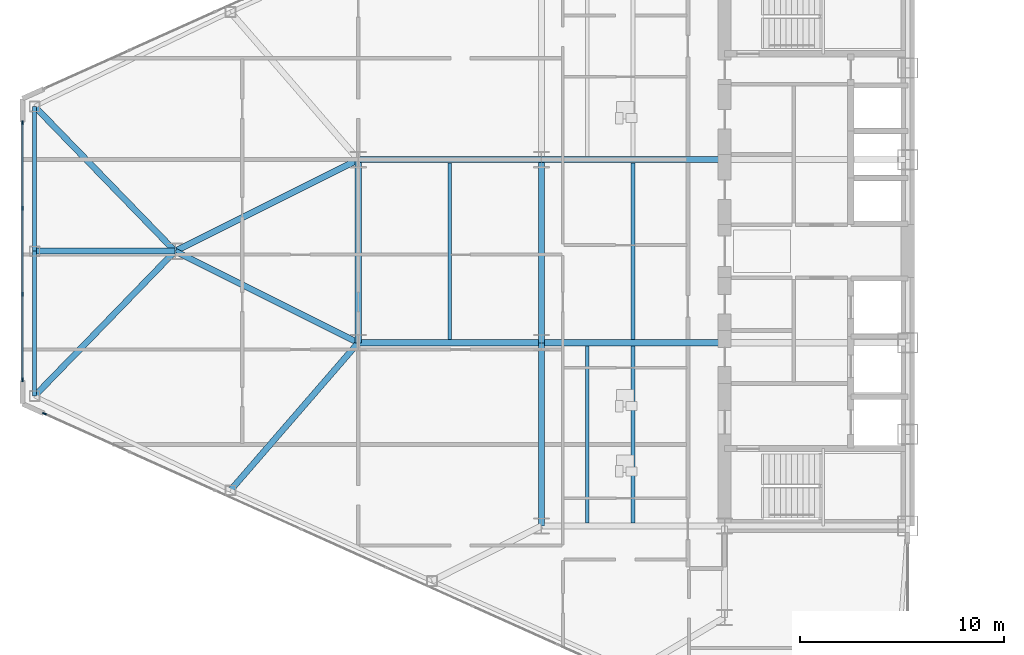
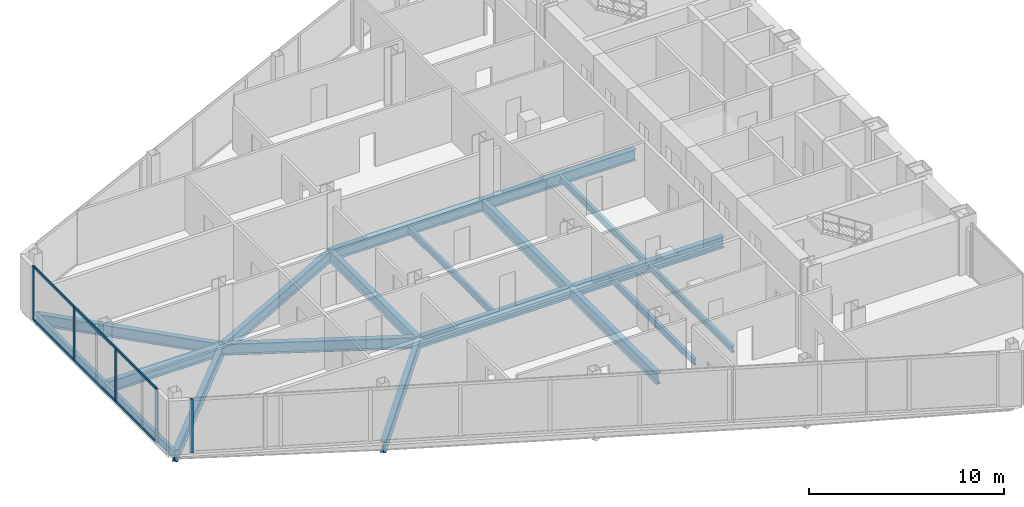
# One storey, part 5 of 27: 19 beams, 7 members, 2 elements without a shape of their own.
"""IFC4 building model written with IfcOpenShell, lengths in metres."""

from ifc_helpers import new_model, si_unit, direction, frame, origin, origin_2d, place, context, subcontext, project, spatial, rectangle, i_section, extrude, source, transform, mapped, material, layer, layer_set, material_profile, profile_set, type_object, type_shapes, element, aggregate, save


model = new_model("IFC4")

# Units and contexts
model_context = context("Model", 3, precision=1e-05, world=origin(), true_north=direction((0.0, 1.0)))
body_context = subcontext(model_context, "Body", "Model", "MODEL_VIEW")
ifc_project = project(units=[si_unit("LENGTHUNIT", "METRE"), si_unit("AREAUNIT", "SQUARE_METRE"), si_unit("VOLUMEUNIT", "CUBIC_METRE"), si_unit("PLANEANGLEUNIT", "RADIAN"), si_unit("MASSUNIT", "GRAM", prefix="KILO")], contexts=[model_context])

# Site, building, storey
site_placement = place(None, origin())
site = spatial("IfcSite", under=ifc_project, at=site_placement, CompositionType="ELEMENT")
building_placement = place(site_placement, origin())
building = spatial("IfcBuilding", under=site, at=building_placement, Name="Seokmaru Belvedere", CompositionType="ELEMENT")
storey_placement = place(building_placement, frame((0.0, 0.0, 69.300048828125)))
storey = spatial("IfcBuildingStorey", under=building, at=storey_placement, Name="L18", CompositionType="ELEMENT", Elevation=69.300048828125)

# Beams
ifc_material_1 = material(Name="Steel SM355 (355 MPa)", Category="steel")
ifc_material_profile_1 = material_profile(ifc_material_1, i_section(OverallWidth=0.300048828125, OverallDepth=0.699951171875, WebThickness=0.012939453125, FlangeThickness=0.02392578125, at=origin_2d()), Name="H-700x300x13x24")
ifc_profile_set_1 = profile_set([ifc_material_profile_1], Name="Steel SM355 (355 MPa)")
beam_type_1 = type_object("IfcBeamType", Name="Primary Floor Girder H-700", PredefinedType="BEAM", material=ifc_profile_set_1)
shared_shape_1 = source(origin(), body_context, "Body", "SweptSolid", [
    extrude(i_section(OverallWidth=0.300048828125, OverallDepth=0.699951171875, WebThickness=0.012939453125, FlangeThickness=0.02392578125, at=origin_2d()), origin(), (0.0, 0.0, 1.0), 9.0),
])
for number, where, z_axis, x_axis, name in (
    (1, (-45.5, -13.5, -0.570068359375), (0.0, 1.0, 0.0), (-1.0, 0.0, 0.0), "L18 W Interior Grid Girder 1"),
    (2, (-45.5, -4.5, -0.570068359375), (0.0, 1.0, 0.0), (-1.0, 0.0, 0.0), "L18 W Interior Grid Girder 2"),
    (3, (-45.5, -4.5, -0.570068359375), (1.0, 0.0, 0.0), (0.0, 1.0, 0.0), "L18 W Wing Primary Girder 2"),
    (4, (-45.5, 4.5, -0.570068359375), (1.0, 0.0, 0.0), (0.0, 1.0, 0.0), "L18 W Wing Primary Girder 3"),
    (5, (-54.5, -4.5, -0.570068359375), (1.0, 0.0, 0.0), (0.0, 1.0, 0.0), "L18 W Outer Wing Girder 1"),
    (6, (-54.5, 4.5, -0.570068359375), (1.0, 0.0, 0.0), (0.0, 1.0, 0.0), "L18 W Outer Wing Girder 2"),
    (7, (-54.5, -4.5, -0.570068359375), (0.0, 1.0, 0.0), (-1.0, 0.0, 0.0), "L18 W Apex Frame Girder"),
):
    element("IfcBeam", number, at=place(storey_placement, frame(where, z_axis=z_axis, x_axis=x_axis)), inside=storey, type_object=beam_type_1, Name=name, PredefinedType="BEAM", context=body_context, shape_type="MappedRepresentation", body=[
        mapped(shared_shape_1, transform((0.0, 0.0, 0.0), scale=1.0)),
    ])
shared_shape_2 = source(origin(), body_context, "Body", "SweptSolid", [
    extrude(i_section(OverallWidth=0.300048828125, OverallDepth=0.699951171875, WebThickness=0.012939453125, FlangeThickness=0.02392578125, at=origin_2d()), origin(), (0.0, 0.0, 1.0), 10.062255859375),
])
for number, where, z_axis, x_axis, name in (
    (8, (-54.5, -4.5, -0.570068359375), (-0.894427191, 0.4472135955, 0.0), (-0.4472135955, -0.894427191, 0.0), "L18 W Apex Converging Girder 1"),
    (9, (-54.5, 4.5, -0.570068359375), (-0.894427191, -0.4472135955, 0.0), (0.4472135955, -0.894427191, 0.0), "L18 W Apex Converging Girder 2"),
):
    element("IfcBeam", number, at=place(storey_placement, frame(where, z_axis=z_axis, x_axis=x_axis)), inside=storey, type_object=beam_type_1, Name=name, PredefinedType="BEAM", context=body_context, shape_type="MappedRepresentation", body=[
        mapped(shared_shape_2, transform((0.0, 0.0, 0.0), scale=1.0)),
    ])
ifc_material_profile_2 = material_profile(ifc_material_1, i_section(OverallWidth=0.18505859375, OverallDepth=0.389892578125, WebThickness=0.008056640625, FlangeThickness=0.011962890625, at=origin_2d()), Name="H-390x185x8x12")
ifc_profile_set_2 = profile_set([ifc_material_profile_2], Name="Steel SM355 (355 MPa)")
beam_type_2 = type_object("IfcBeamType", Name="Secondary Floor Joist H-350", PredefinedType="JOIST", material=ifc_profile_set_2)
shared_shape_3 = source(origin(), body_context, "Body", "SweptSolid", [
    extrude(i_section(OverallWidth=0.18505859375, OverallDepth=0.389892578125, WebThickness=0.008056640625, FlangeThickness=0.011962890625, at=origin_2d()), origin(), (0.0, 0.0, 1.0), 8.68994140625),
])
type_shapes(beam_type_2, [shared_shape_3])
for number, where, z_axis, x_axis, name in (
    (10, (-43.25, -13.344970703125, -0.4150390625), (0.0, 1.0, 0.0), (-1.0, 0.0, 0.0), "L18 W Wing Inner Secondary Joist 1"),
    (11, (-41.0, -13.344970703125, -0.4150390625), (0.0, 1.0, 0.0), (-1.0, 0.0, 0.0), "L18 W Secondary Floor Joist 1"),
    (12, (-41.0, -4.344970703125, -0.4150390625), (0.0, 1.0, 0.0), (-1.0, 0.0, 0.0), "L18 W Secondary Floor Joist 2"),
    (13, (-50.0, -4.344970703125, -0.4150390625), (0.0, 1.0, 0.0), (-1.0, 0.0, 0.0), "L18 W Outer Bay Secondary Joist"),
):
    element("IfcBeam", number, at=place(storey_placement, frame(where, z_axis=z_axis, x_axis=x_axis)), inside=storey, type_object=beam_type_2, Name=name, PredefinedType="JOIST", context=body_context, shape_type="MappedRepresentation", body=[
        mapped(shared_shape_3, transform((0.0, 0.0, 0.0), scale=1.0)),
    ])
ifc_material_profile_3 = material_profile(ifc_material_1, i_section(OverallWidth=0.199951171875, OverallDepth=0.5, WebThickness=0.010009765625, FlangeThickness=0.01611328125, at=origin_2d()), Name="H-500x200x10x16")
ifc_profile_set_3 = profile_set([ifc_material_profile_3], Name="Steel SM355 (355 MPa)")
beam_type_3 = type_object("IfcBeamType", Name="Perimeter Spandrel Beam H-500", PredefinedType="SPANDREL", material=ifc_profile_set_3)
shared_shape_4 = source(origin(), body_context, "Body", "SweptSolid", [
    extrude(i_section(OverallWidth=0.199951171875, OverallDepth=0.5, WebThickness=0.010009765625, FlangeThickness=0.01611328125, at=origin_2d()), origin(), (0.0, 0.0, 1.0), 7.112060546875),
])
type_shapes(beam_type_3, [shared_shape_4])
for number, where, z_axis, x_axis, name in (
    (14, (-70.39990234375, -7.112060546875, -0.469970703125), (0.0, 1.0, 0.0), (-1.0, 0.0, 0.0), "L18 W Faceted Apex Spandrel S"),
    (15, (-70.39990234375, 0.0, -0.469970703125), (0.0, 1.0, 0.0), (-1.0, 0.0, 0.0), "L18 W Faceted Apex Spandrel N"),
):
    element("IfcBeam", number, at=place(storey_placement, frame(where, z_axis=z_axis, x_axis=x_axis)), inside=storey, type_object=beam_type_3, Name=name, PredefinedType="SPANDREL", context=body_context, shape_type="MappedRepresentation", body=[
        mapped(shared_shape_4, transform((0.0, 0.0, 0.0), scale=1.0)),
    ])
shared_shape_5 = source(origin(), body_context, "Body", "SweptSolid", [
    extrude(i_section(OverallWidth=0.300048828125, OverallDepth=0.699951171875, WebThickness=0.012939453125, FlangeThickness=0.02392578125, at=origin_2d()), origin(), (0.0, 0.0, 1.0), 9.589599609375),
])
beam_1_placement = place(storey_placement, frame((-60.777587890625, -11.749267578125, -0.570068359375), z_axis=(0.654626140929, 0.755952786629, 0.0), x_axis=(-0.755952786629, 0.654626140929, 0.0)))
element("IfcBeam", 16, at=beam_1_placement, inside=storey, type_object=beam_type_1, Name="L18 W Flank Radial Floor Girder S-3", PredefinedType="BEAM", context=body_context, shape_type="MappedRepresentation", body=[
    mapped(shared_shape_5, transform((0.0, 0.0, 0.0), scale=1.0)),
])
shared_shape_6 = source(origin(), body_context, "Body", "SweptSolid", [
    extrude(i_section(OverallWidth=0.300048828125, OverallDepth=0.699951171875, WebThickness=0.012939453125, FlangeThickness=0.02392578125, at=origin_2d()), origin(), (0.0, 0.0, 1.0), 9.9091796875),
])
for number, where, z_axis, x_axis, name in (
    (17, (-70.39990234375, -7.112060546875, -0.570068359375), (0.6963205089, 0.717730972499, 0.0), (-0.717730972499, 0.6963205089, 0.0), "L18 W Apex Radial Floor Girder 1"),
    (18, (-70.39990234375, 7.112060546875, -0.570068359375), (0.6963205089, -0.717730972499, 0.0), (0.717730972499, 0.6963205089, 0.0), "L18 W Apex Radial Floor Girder 2"),
):
    element("IfcBeam", number, at=place(storey_placement, frame(where, z_axis=z_axis, x_axis=x_axis)), inside=storey, type_object=beam_type_1, Name=name, PredefinedType="BEAM", context=body_context, shape_type="MappedRepresentation", body=[
        mapped(shared_shape_6, transform((0.0, 0.0, 0.0), scale=1.0)),
    ])
shared_shape_7 = source(origin(), body_context, "Body", "SweptSolid", [
    extrude(i_section(OverallWidth=0.300048828125, OverallDepth=0.699951171875, WebThickness=0.012939453125, FlangeThickness=0.02392578125, at=origin_2d()), origin(), (0.0, 0.0, 1.0), 6.89990234375),
])
type_shapes(beam_type_1, [shared_shape_1, shared_shape_2, shared_shape_5, shared_shape_6, shared_shape_7])
beam_2_placement = place(storey_placement, frame((-70.39990234375, 0.0, -0.570068359375), z_axis=(1.0, 0.0, 0.0), x_axis=(0.0, 1.0, 0.0)))
element("IfcBeam", 19, at=beam_2_placement, inside=storey, type_object=beam_type_1, Name="L18 W Apex Center Radial Girder", PredefinedType="BEAM", context=body_context, shape_type="MappedRepresentation", body=[
    mapped(shared_shape_7, transform((0.0, 0.0, 0.0), scale=1.0)),
])

# Curtain wall, members
ifc_material_2 = material(Name="Bronze Triple Insulating Glass", Category="glass")
ifc_layer = layer(ifc_material_2, 0.195068359375)
ifc_layer_set = layer_set([ifc_layer], Name="Bronze Triple Insulating Glass")
curtain_wall_type = type_object("IfcCurtainWallType", Name="Lower-Mid Tapered Curtain Wall System CW-3", PredefinedType="NOTDEFINED", material=ifc_layer_set)
curtain_wall_1_placement = place(storey_placement, origin())
curtain_wall_1 = element("IfcCurtainWall", 20, at=curtain_wall_1_placement, inside=storey, type_object=curtain_wall_type, Name="L18 Curtain Wall WF4", PredefinedType="NOTDEFINED")
ifc_material_3 = material(Name="Anodised Bronze Aluminium", Category="aluminium")
ifc_material_profile_4 = material_profile(ifc_material_3, rectangle(XDim=0.070068359375, YDim=0.195068359375, at=origin_2d()), Name="CW-M-70x195")
ifc_profile_set_4 = profile_set([ifc_material_profile_4], Name="Anodised Bronze Aluminium")
member_type_1 = type_object("IfcMemberType", Name="Bronze Unitised Mullion 70x195", PredefinedType="MULLION", material=ifc_profile_set_4)
shared_shape_8 = source(origin(), body_context, "Body", "SweptSolid", [
    extrude(rectangle(XDim=0.070068359375, YDim=0.195068359375, at=origin_2d()), origin(), (0.0, 0.0, 1.0), 3.3798828125),
])
member_1_placement = place(storey_placement, frame((-71.0, 6.31494140625, 0.0), z_axis=(0.0, 0.0, 1.0), x_axis=(1.0, 0.0, 0.0)))
member_1 = element("IfcMember", 21, at=member_1_placement, type_object=member_type_1, Name="CW:L18:WF4 Mullion 1", PredefinedType="MULLION", context=body_context, shape_type="MappedRepresentation", body=[
    mapped(shared_shape_8, transform((0.0, 0.0, 0.0), scale=1.0)),
])
member_2_placement = place(storey_placement, frame((-71.0, -6.31494140625, 0.0), z_axis=(0.0, 0.0, 1.0), x_axis=(1.0, 0.0, 0.0)))
member_2 = element("IfcMember", 22, at=member_2_placement, type_object=member_type_1, Name="CW:L18:WF4 Mullion 4", PredefinedType="MULLION", context=body_context, shape_type="MappedRepresentation", body=[
    mapped(shared_shape_8, transform((0.0, 0.0, 0.0), scale=1.0)),
])

# Curtain wall, member
curtain_wall_2_placement = place(storey_placement, origin())
curtain_wall_2 = element("IfcCurtainWall", 23, at=curtain_wall_2_placement, inside=storey, type_object=curtain_wall_type, Name="L18 Curtain Wall WF5", PredefinedType="NOTDEFINED")
member_3_placement = place(storey_placement, frame((-69.91943359375, -7.986328125, 0.0), z_axis=(0.0, 0.0, 1.0), x_axis=(0.41036554765, 0.91192111353, 0.0)))
member_3 = element("IfcMember", 24, at=member_3_placement, type_object=member_type_1, Name="CW:L18:WF5 Mullion 1", PredefinedType="MULLION", context=body_context, shape_type="MappedRepresentation", body=[
    mapped(shared_shape_8, transform((0.0, 0.0, 0.0), scale=1.0)),
])
aggregate(curtain_wall_2, [member_3])

# Member
shared_shape_9 = source(origin(), body_context, "Body", "SweptSolid", [
    extrude(rectangle(XDim=0.070068359375, YDim=0.195068359375, at=origin_2d()), origin(), (0.0, 0.0, 1.0), 3.239990234375),
])
type_shapes(member_type_1, [shared_shape_8, shared_shape_9])
member_4_placement = place(storey_placement, frame((-71.0, 2.11669921875, 0.070068359375), z_axis=(0.0, 0.0, 1.0), x_axis=(1.0, 0.0, 0.0)))
member_4 = element("IfcMember", 25, at=member_4_placement, type_object=member_type_1, Name="CW:L18:WF4 Mullion 2", PredefinedType="MULLION", context=body_context, shape_type="MappedRepresentation", body=[
    mapped(shared_shape_9, transform((0.0, 0.0, 0.0), scale=1.0)),
])

member_5_placement = place(storey_placement, frame((-71.0, -2.11669921875, 0.070068359375), z_axis=(0.0, 0.0, 1.0), x_axis=(1.0, 0.0, 0.0)))
member_5 = element("IfcMember", 26, at=member_5_placement, type_object=member_type_1, Name="CW:L18:WF4 Mullion 3", PredefinedType="MULLION", context=body_context, shape_type="MappedRepresentation", body=[
    mapped(shared_shape_9, transform((0.0, 0.0, 0.0), scale=1.0)),
])

ifc_material_profile_5 = material_profile(ifc_material_3, rectangle(XDim=0.070068359375, YDim=0.1650390625, at=origin_2d()), Name="CW-T-70x165")
ifc_profile_set_5 = profile_set([ifc_material_profile_5], Name="Anodised Bronze Aluminium")
member_type_2 = type_object("IfcMemberType", Name="Bronze Unitised Transom 70x165", PredefinedType="USERDEFINED", material=ifc_profile_set_5)
shared_shape_10 = source(origin(), body_context, "Body", "SweptSolid", [
    extrude(rectangle(XDim=0.070068359375, YDim=0.1650390625, at=origin_2d()), origin(), (0.0, 0.0, 1.0), 12.56005859375),
])
type_shapes(member_type_2, [shared_shape_10])
member_6_placement = place(storey_placement, frame((-71.0, 6.280029296875, 0.034912109375), z_axis=(0.0, -1.0, 0.0), x_axis=(1.0, 0.0, 0.0)))
member_6 = element("IfcMember", 27, at=member_6_placement, type_object=member_type_2, Name="CW:L18:WF4 Continuous Transom 1", ObjectType="TRANSOM", PredefinedType="USERDEFINED", context=body_context, shape_type="MappedRepresentation", body=[
    mapped(shared_shape_10, transform((0.0, 0.0, 0.0), scale=1.0)),
])

member_7_placement = place(storey_placement, frame((-71.0, 6.280029296875, 3.344970703125), z_axis=(0.0, -1.0, 0.0), x_axis=(1.0, 0.0, 0.0)))
member_7 = element("IfcMember", 28, at=member_7_placement, type_object=member_type_2, Name="CW:L18:WF4 Continuous Transom 2", ObjectType="TRANSOM", PredefinedType="USERDEFINED", context=body_context, shape_type="MappedRepresentation", body=[
    mapped(shared_shape_10, transform((0.0, 0.0, 0.0), scale=1.0)),
])

aggregate(curtain_wall_1, [member_1, member_4, member_5, member_2, member_6, member_7])

save(model, "model.ifc")
